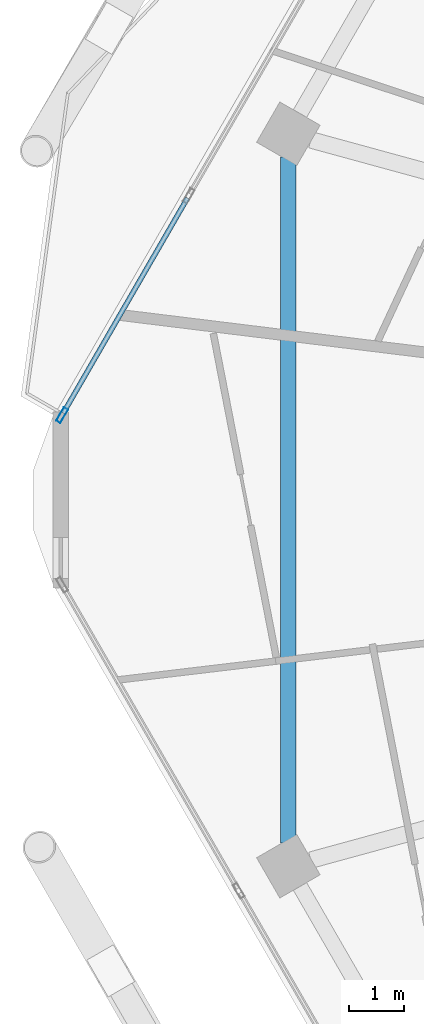
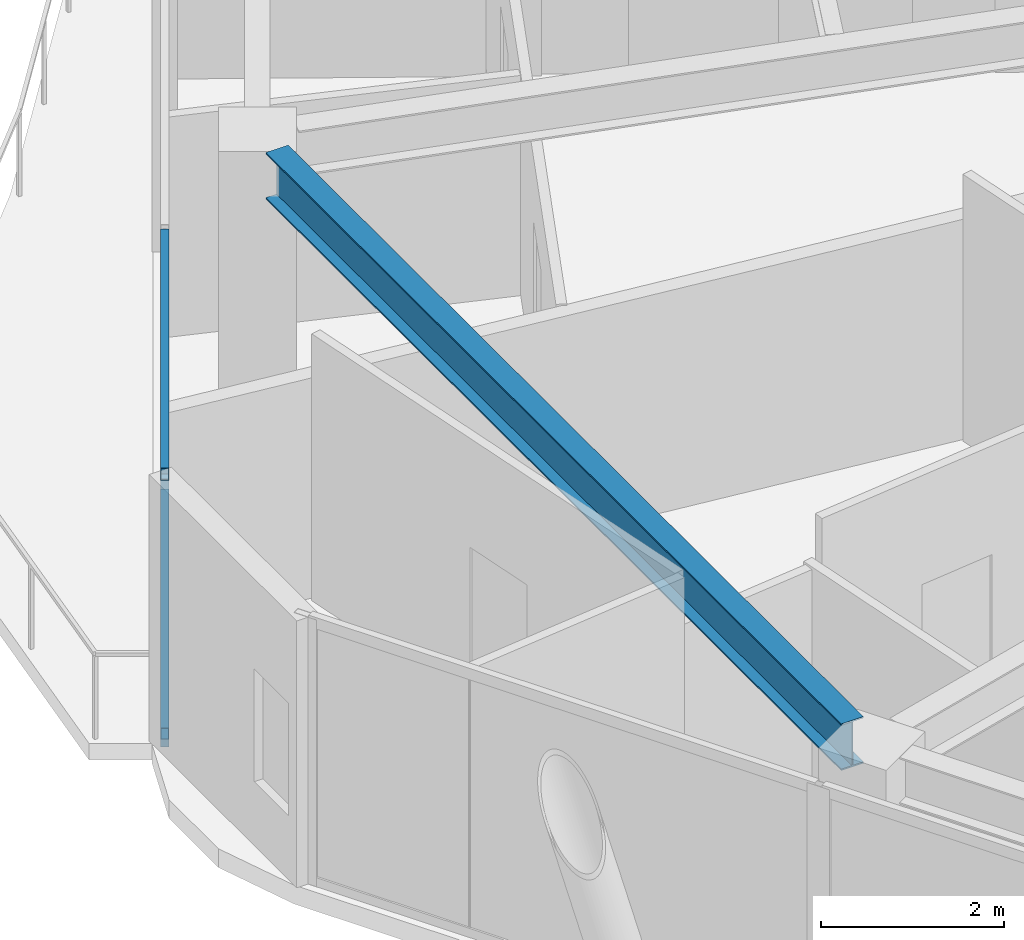
# One storey, part 6 of 29: 3 members, 1 beam, 1 element without a shape of its own.
"""IFC4 building model written with IfcOpenShell, lengths in metres."""

from ifc_helpers import new_model, si_unit, direction, frame, origin, origin_2d, place, context, subcontext, project, spatial, hollow_rectangle, i_section, extrude, material, material_profile, profile_set, type_object, element, aggregate, save


model = new_model("IFC4")

# Units and contexts
model_context = context("Model", 3, precision=1e-05, world=origin(), true_north=direction((0.0, 1.0)))
body_context = subcontext(model_context, "Body", "Model", "MODEL_VIEW")
ifc_project = project(units=[si_unit("LENGTHUNIT", "METRE"), si_unit("AREAUNIT", "SQUARE_METRE"), si_unit("VOLUMEUNIT", "CUBIC_METRE"), si_unit("PLANEANGLEUNIT", "RADIAN"), si_unit("MASSUNIT", "GRAM", prefix="KILO")], contexts=[model_context])

# Site, building, storey
site_placement = place(None, origin())
site = spatial("IfcSite", under=ifc_project, at=site_placement, CompositionType="ELEMENT")
building_placement = place(site_placement, origin())
building = spatial("IfcBuilding", under=site, at=building_placement, Name="Zuhravey Tower", CompositionType="ELEMENT")
storey_placement = place(building_placement, frame((0.0, 0.0, 269.199951171875)))
storey = spatial("IfcBuildingStorey", under=building, at=storey_placement, Name="L68", CompositionType="ELEMENT", Elevation=269.199951171875)

# Curtain wall, members
ifc_material_1 = material(Name="Thermally broken anodised aluminium", Category="aluminium")
curtain_wall_type = type_object("IfcCurtainWallType", Name="Zone 3-4 High-Rise Curtain Wall CW4", PredefinedType="NOTDEFINED", material=ifc_material_1)
curtain_wall_placement = place(storey_placement, origin())
curtain_wall = element("IfcCurtainWall", 1, at=curtain_wall_placement, inside=storey, type_object=curtain_wall_type, Name="L68 CW4 CW-L68-F3-1", PredefinedType="NOTDEFINED")
ifc_material_2 = material(Name="Anodised aluminium", Category="aluminium")
ifc_material_profile_1 = material_profile(ifc_material_2, hollow_rectangle(XDim=0.090087890625, YDim=0.284912109375, WallThickness=0.0048828125, at=origin_2d()), Name="ALU-RHS-90x285x5")
ifc_profile_set_1 = profile_set([ifc_material_profile_1], Name="Anodised aluminium")
member_type_1 = type_object("IfcMemberType", Name="Curtain-Wall Mullion 90x180", PredefinedType="MULLION", material=ifc_profile_set_1)
member_1_placement = place(storey_placement, frame((7.37744140625, 33.551513671875, 0.0), z_axis=(0.0, 0.0, 1.0), x_axis=(-0.86602211108, 0.500005703088, 0.0)))
member_1 = element("IfcMember", 2, at=member_1_placement, type_object=member_type_1, Name="CW4 mullion 1", PredefinedType="MULLION", context=body_context, shape_type="SweptSolid", body=[
    extrude(hollow_rectangle(XDim=0.090087890625, YDim=0.284912109375, WallThickness=0.0048828125, at=origin_2d()), origin(), (0.0, 0.0, 1.0), 3.550048828125),
])
ifc_material_profile_2 = material_profile(ifc_material_2, hollow_rectangle(XDim=0.090087890625, YDim=0.14990234375, WallThickness=0.0048828125, at=origin_2d()), Name="ALU-RHS-90x150x5")
ifc_profile_set_2 = profile_set([ifc_material_profile_2], Name="Anodised aluminium")
member_type_2 = type_object("IfcMemberType", Name="Curtain-Wall Transom 90x150", PredefinedType="USERDEFINED", material=ifc_profile_set_2)
member_2_placement = place(storey_placement, frame((7.39990234375, 33.59033203125, 0.045166015625), z_axis=(0.500001688065, 0.866024429177, 0.0), x_axis=(-0.866024429177, 0.500001688065, 0.0)))
member_2 = element("IfcMember", 3, at=member_2_placement, type_object=member_type_2, Name="CW4 transom 1.1", ObjectType="TRANSOM", PredefinedType="USERDEFINED", context=body_context, shape_type="SweptSolid", body=[
    extrude(hollow_rectangle(XDim=0.090087890625, YDim=0.14990234375, WallThickness=0.0048828125, at=origin_2d()), origin(), (0.0, 0.0, 1.0), 4.541015625),
])
member_3_placement = place(storey_placement, frame((7.39990234375, 33.59033203125, 3.505126953125), z_axis=(0.500001688065, 0.866024429177, 0.0), x_axis=(-0.866024429177, 0.500001688065, 0.0)))
member_3 = element("IfcMember", 4, at=member_3_placement, type_object=member_type_2, Name="CW4 transom 1.2", ObjectType="TRANSOM", PredefinedType="USERDEFINED", context=body_context, shape_type="SweptSolid", body=[
    extrude(hollow_rectangle(XDim=0.090087890625, YDim=0.14990234375, WallThickness=0.0048828125, at=origin_2d()), origin(), (0.0, 0.0, 1.0), 4.541015625),
])
aggregate(curtain_wall, [member_1, member_2, member_3])

# Beam
ifc_material_3 = material(Name="Steel SM355", Category="steel")
ifc_material_profile_3 = material_profile(ifc_material_3, i_section(OverallWidth=0.280029296875, OverallDepth=0.6201171875, WebThickness=0.011962890625, FlangeThickness=0.02001953125, at=origin_2d()), Name="H-620x280x12x20")
ifc_profile_set_3 = profile_set([ifc_material_profile_3], Name="Steel SM355")
beam_type = type_object("IfcBeamType", Name="Perimeter Ring Beam H620x280", PredefinedType="BEAM", material=ifc_profile_set_3)
beam_placement = place(storey_placement, frame((11.515380859375, 38.27099609375, 3.239990234375), z_axis=(0.0, -1.0, 0.0), x_axis=(1.0, 0.0, 0.0)))
element("IfcBeam", 5, at=beam_placement, inside=storey, type_object=beam_type, Name="L68 PB3 BM-L68-PB-06", PredefinedType="BEAM", context=body_context, shape_type="SweptSolid", body=[
    extrude(i_section(OverallWidth=0.280029296875, OverallDepth=0.6201171875, WebThickness=0.011962890625, FlangeThickness=0.02001953125, at=origin_2d()), origin(), (0.0, 0.0, 1.0), 12.5419921875),
])

save(model, "model.ifc")
